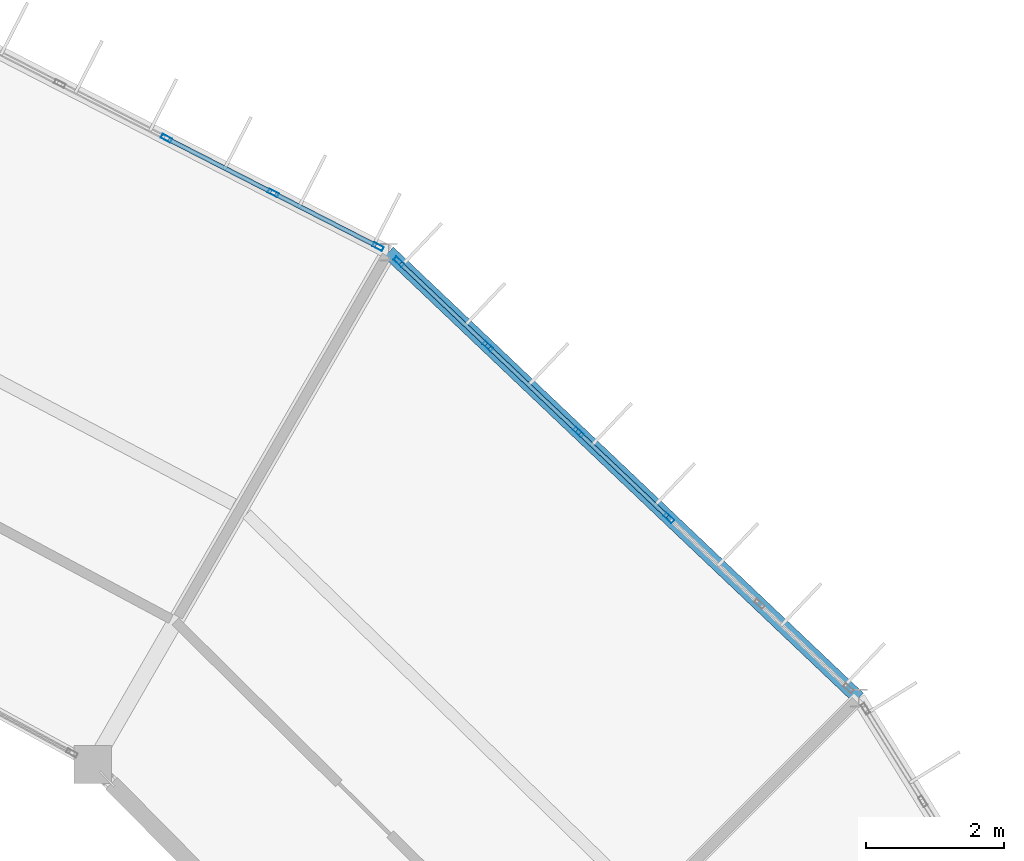
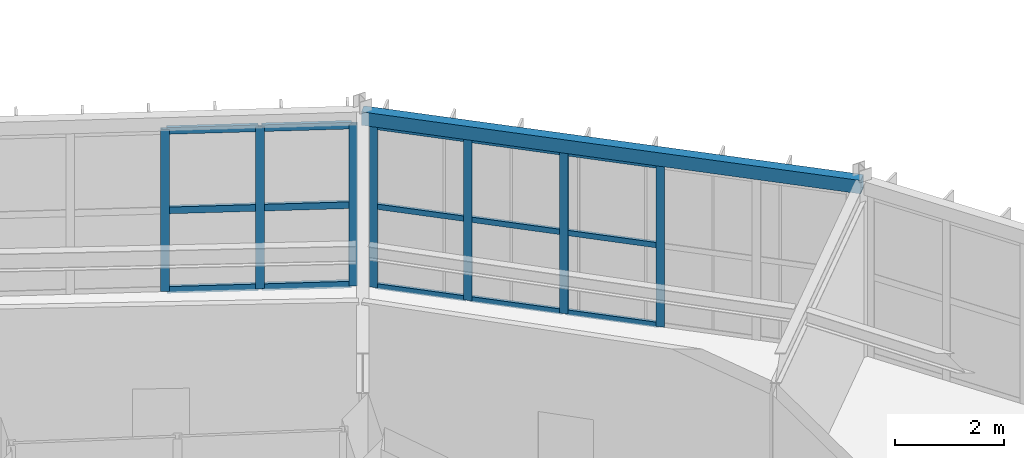
# One storey, part 73 of 106: 22 members, 1 beam, 2 elements without a shape of their own.
"""IFC4 building model written with IfcOpenShell, lengths in metres."""

from ifc_helpers import new_model, si_unit, direction, frame, origin, origin_2d, place, context, subcontext, project, spatial, hollow_rectangle, extrude, material, material_profile, profile_set, type_object, element, aggregate, save


model = new_model("IFC4")

# Units and contexts
model_context = context("Model", 3, precision=1e-05, world=origin(), true_north=direction((0.0, 1.0)))
body_context = subcontext(model_context, "Body", "Model", "MODEL_VIEW")
ifc_project = project(units=[si_unit("LENGTHUNIT", "METRE"), si_unit("AREAUNIT", "SQUARE_METRE"), si_unit("VOLUMEUNIT", "CUBIC_METRE"), si_unit("PLANEANGLEUNIT", "RADIAN"), si_unit("MASSUNIT", "GRAM", prefix="KILO")], contexts=[model_context])

# Site, building, storey
site_placement = place(None, origin())
site = spatial("IfcSite", under=ifc_project, at=site_placement, CompositionType="ELEMENT")
building_placement = place(site_placement, origin())
building = spatial("IfcBuilding", under=site, at=building_placement, Name="Karori Crest Natural Sciences Institute", CompositionType="ELEMENT")
storey_placement = place(building_placement, frame((0.0, 0.0, 25.89990234375)))
storey = spatial("IfcBuildingStorey", under=building, at=storey_placement, Name="L06", CompositionType="ELEMENT", Elevation=25.89990234375)

# Beam
ifc_material_1 = material(Name="Hollow structural steel AS/NZS 1163 Grade C350", Category="steel")
ifc_material_profile_1 = material_profile(ifc_material_1, hollow_rectangle(XDim=0.199951171875, YDim=0.300048828125, WallThickness=0.010009765625, at=origin_2d()), Name="RHS300x200x10")
ifc_profile_set_1 = profile_set([ifc_material_profile_1], Name="Hollow structural steel AS/NZS 1163 Grade C350")
beam_type = type_object("IfcBeamType", Name="BT-15", PredefinedType="SPANDREL", material=ifc_profile_set_1)
beam_placement = place(storey_placement, frame((89.734619140625, 78.75, 3.7900390625), z_axis=(-0.725481282589, 0.688241896874, 0.0), x_axis=(-0.688241896874, -0.725481282589, 0.0)))
element("IfcBeam", 1, at=beam_placement, inside=storey, type_object=beam_type, Name="Beam B-0629", PredefinedType="SPANDREL", context=body_context, shape_type="SweptSolid", body=[
    extrude(hollow_rectangle(XDim=0.199951171875, YDim=0.300048828125, WallThickness=0.010009765625, at=origin_2d()), origin(), (0.0, 0.0, 1.0), 9.4208984375),
])

# Curtain wall, members
ifc_material_2 = material(Name="Anodised architectural aluminium 6063-T6", Category="aluminium")
curtain_wall_type_1 = type_object("IfcCurtainWallType", Name="CWT-04", PredefinedType="NOTDEFINED", material=ifc_material_2)
curtain_wall_1_placement = place(storey_placement, origin())
curtain_wall_1 = element("IfcCurtainWall", 2, at=curtain_wall_1_placement, inside=storey, type_object=curtain_wall_type_1, Name="Curtain wall CW-0225", PredefinedType="NOTDEFINED")
ifc_material_profile_2 = material_profile(ifc_material_2, hollow_rectangle(XDim=0.06494140625, YDim=0.159912109375, WallThickness=0.00390625, at=origin_2d()), Name="CWM160x65x4")
ifc_profile_set_2 = profile_set([ifc_material_profile_2], Name="Anodised architectural aluminium 6063-T6")
member_type_1 = type_object("IfcMemberType", Name="CWM-01", PredefinedType="MULLION", material=ifc_profile_set_2)
member_1_placement = place(storey_placement, frame((83.049072265625, 85.09228515625, 0.0), z_axis=(0.0, 0.0, 1.0), x_axis=(0.688252251648, 0.725471459192, 0.0)))
member_1 = element("IfcMember", 3, at=member_1_placement, type_object=member_type_1, Name="CW-0225 mullion 1", PredefinedType="MULLION", context=body_context, shape_type="SweptSolid", body=[
    extrude(hollow_rectangle(XDim=0.06494140625, YDim=0.159912109375, WallThickness=0.00390625, at=origin_2d()), origin(), (0.0, 0.0, 1.0), 3.625),
])
member_2_placement = place(storey_placement, frame((84.342041015625, 83.86572265625, 0.0), z_axis=(0.0, 0.0, 1.0), x_axis=(0.688252251648, 0.725471459192, 0.0)))
member_2 = element("IfcMember", 4, at=member_2_placement, type_object=member_type_1, Name="CW-0225 mullion 2", PredefinedType="MULLION", context=body_context, shape_type="SweptSolid", body=[
    extrude(hollow_rectangle(XDim=0.06494140625, YDim=0.159912109375, WallThickness=0.00390625, at=origin_2d()), origin(), (0.0, 0.0, 1.0), 3.625),
])
member_3_placement = place(storey_placement, frame((85.658447265625, 82.61669921875, 0.0), z_axis=(0.0, 0.0, 1.0), x_axis=(0.688252251648, 0.725471459192, 0.0)))
member_3 = element("IfcMember", 5, at=member_3_placement, type_object=member_type_1, Name="CW-0225 mullion 3", PredefinedType="MULLION", context=body_context, shape_type="SweptSolid", body=[
    extrude(hollow_rectangle(XDim=0.06494140625, YDim=0.159912109375, WallThickness=0.00390625, at=origin_2d()), origin(), (0.0, 0.0, 1.0), 3.625),
])
member_4_placement = place(storey_placement, frame((86.97509765625, 81.367919921875, 0.0), z_axis=(0.0, 0.0, 1.0), x_axis=(0.688252251648, 0.725471459192, 0.0)))
member_4 = element("IfcMember", 6, at=member_4_placement, type_object=member_type_1, Name="CW-0225 mullion 4", PredefinedType="MULLION", context=body_context, shape_type="SweptSolid", body=[
    extrude(hollow_rectangle(XDim=0.06494140625, YDim=0.159912109375, WallThickness=0.00390625, at=origin_2d()), origin(), (0.0, 0.0, 1.0), 3.625),
])

curtain_wall_type_2 = type_object("IfcCurtainWallType", Name="CWT-05", PredefinedType="NOTDEFINED", material=ifc_material_2)
curtain_wall_2_placement = place(storey_placement, origin())
curtain_wall_2 = element("IfcCurtainWall", 7, at=curtain_wall_2_placement, inside=storey, type_object=curtain_wall_type_2, Name="Curtain wall CW-0226", PredefinedType="NOTDEFINED")
member_5_placement = place(storey_placement, frame((79.67138671875, 86.88720703125, 0.0), z_axis=(0.0, 0.0, 1.0), x_axis=(0.455828878252, 0.890067432138, 0.0)))
member_5 = element("IfcMember", 8, at=member_5_placement, type_object=member_type_1, Name="CW-0226 mullion 4", PredefinedType="MULLION", context=body_context, shape_type="SweptSolid", body=[
    extrude(hollow_rectangle(XDim=0.06494140625, YDim=0.159912109375, WallThickness=0.00390625, at=origin_2d()), origin(), (0.0, 0.0, 1.0), 3.625),
])
member_6_placement = place(storey_placement, frame((81.22314453125, 86.092529296875, 0.0), z_axis=(0.0, 0.0, 1.0), x_axis=(0.455828878252, 0.890067432138, 0.0)))
member_6 = element("IfcMember", 9, at=member_6_placement, type_object=member_type_1, Name="CW-0226 mullion 5", PredefinedType="MULLION", context=body_context, shape_type="SweptSolid", body=[
    extrude(hollow_rectangle(XDim=0.06494140625, YDim=0.159912109375, WallThickness=0.00390625, at=origin_2d()), origin(), (0.0, 0.0, 1.0), 3.625),
])
member_7_placement = place(storey_placement, frame((82.745849609375, 85.312744140625, 0.0), z_axis=(0.0, 0.0, 1.0), x_axis=(0.455828878252, 0.890067432138, 0.0)))
member_7 = element("IfcMember", 10, at=member_7_placement, type_object=member_type_1, Name="CW-0226 mullion 6", PredefinedType="MULLION", context=body_context, shape_type="SweptSolid", body=[
    extrude(hollow_rectangle(XDim=0.06494140625, YDim=0.159912109375, WallThickness=0.00390625, at=origin_2d()), origin(), (0.0, 0.0, 1.0), 3.625),
])

# Member
ifc_material_profile_3 = material_profile(ifc_material_2, hollow_rectangle(XDim=0.06005859375, YDim=0.1201171875, WallThickness=0.00390625, at=origin_2d()), Name="CWT120x60x4")
ifc_profile_set_3 = profile_set([ifc_material_profile_3], Name="Anodised architectural aluminium 6063-T6")
member_type_2 = type_object("IfcMemberType", Name="CWT-TR1", PredefinedType="USERDEFINED", material=ifc_profile_set_3)
member_8_placement = place(storey_placement, frame((83.07275390625, 85.070068359375, 0.030029296875), z_axis=(0.725485539939, -0.68823740914, 0.0), x_axis=(0.68823740914, 0.725485539939, 0.0)))
member_8 = element("IfcMember", 11, at=member_8_placement, type_object=member_type_2, Name="CW-0225 transom 1.1", ObjectType="TRANSOM", PredefinedType="USERDEFINED", context=body_context, shape_type="SweptSolid", body=[
    extrude(hollow_rectangle(XDim=0.06005859375, YDim=0.1201171875, WallThickness=0.00390625, at=origin_2d()), origin(), (0.0, 0.0, 1.0), 1.71728515625),
])

member_9_placement = place(storey_placement, frame((83.07275390625, 85.070068359375, 1.8125), z_axis=(0.725485539939, -0.68823740914, 0.0), x_axis=(0.68823740914, 0.725485539939, 0.0)))
member_9 = element("IfcMember", 12, at=member_9_placement, type_object=member_type_2, Name="CW-0225 transom 1.2", ObjectType="TRANSOM", PredefinedType="USERDEFINED", context=body_context, shape_type="SweptSolid", body=[
    extrude(hollow_rectangle(XDim=0.06005859375, YDim=0.1201171875, WallThickness=0.00390625, at=origin_2d()), origin(), (0.0, 0.0, 1.0), 1.71728515625),
])

member_10_placement = place(storey_placement, frame((83.07275390625, 85.070068359375, 3.59521484375), z_axis=(0.725485539939, -0.68823740914, 0.0), x_axis=(0.68823740914, 0.725485539939, 0.0)))
member_10 = element("IfcMember", 13, at=member_10_placement, type_object=member_type_2, Name="CW-0225 transom 1.3", ObjectType="TRANSOM", PredefinedType="USERDEFINED", context=body_context, shape_type="SweptSolid", body=[
    extrude(hollow_rectangle(XDim=0.06005859375, YDim=0.1201171875, WallThickness=0.00390625, at=origin_2d()), origin(), (0.0, 0.0, 1.0), 1.71728515625),
])

member_11_placement = place(storey_placement, frame((84.36572265625, 83.843505859375, 0.030029296875), z_axis=(0.725420823959, -0.688305621194, 0.0), x_axis=(0.688305621194, 0.725420823959, 0.0)))
member_11 = element("IfcMember", 14, at=member_11_placement, type_object=member_type_2, Name="CW-0225 transom 2.1", ObjectType="TRANSOM", PredefinedType="USERDEFINED", context=body_context, shape_type="SweptSolid", body=[
    extrude(hollow_rectangle(XDim=0.06005859375, YDim=0.1201171875, WallThickness=0.00390625, at=origin_2d()), origin(), (0.0, 0.0, 1.0), 1.749755859375),
])

member_12_placement = place(storey_placement, frame((84.36572265625, 83.843505859375, 1.8125), z_axis=(0.725420823959, -0.688305621194, 0.0), x_axis=(0.688305621194, 0.725420823959, 0.0)))
member_12 = element("IfcMember", 15, at=member_12_placement, type_object=member_type_2, Name="CW-0225 transom 2.2", ObjectType="TRANSOM", PredefinedType="USERDEFINED", context=body_context, shape_type="SweptSolid", body=[
    extrude(hollow_rectangle(XDim=0.06005859375, YDim=0.1201171875, WallThickness=0.00390625, at=origin_2d()), origin(), (0.0, 0.0, 1.0), 1.749755859375),
])

member_13_placement = place(storey_placement, frame((84.36572265625, 83.843505859375, 3.59521484375), z_axis=(0.725420823959, -0.688305621194, 0.0), x_axis=(0.688305621194, 0.725420823959, 0.0)))
member_13 = element("IfcMember", 16, at=member_13_placement, type_object=member_type_2, Name="CW-0225 transom 2.3", ObjectType="TRANSOM", PredefinedType="USERDEFINED", context=body_context, shape_type="SweptSolid", body=[
    extrude(hollow_rectangle(XDim=0.06005859375, YDim=0.1201171875, WallThickness=0.00390625, at=origin_2d()), origin(), (0.0, 0.0, 1.0), 1.749755859375),
])

member_14_placement = place(storey_placement, frame((85.68212890625, 82.594482421875, 0.030029296875), z_axis=(0.725420823959, -0.688305621194, 0.0), x_axis=(0.688305621194, 0.725420823959, 0.0)))
member_14 = element("IfcMember", 17, at=member_14_placement, type_object=member_type_2, Name="CW-0225 transom 3.1", ObjectType="TRANSOM", PredefinedType="USERDEFINED", context=body_context, shape_type="SweptSolid", body=[
    extrude(hollow_rectangle(XDim=0.06005859375, YDim=0.1201171875, WallThickness=0.00390625, at=origin_2d()), origin(), (0.0, 0.0, 1.0), 1.749755859375),
])

member_15_placement = place(storey_placement, frame((85.68212890625, 82.594482421875, 1.8125), z_axis=(0.725420823959, -0.688305621194, 0.0), x_axis=(0.688305621194, 0.725420823959, 0.0)))
member_15 = element("IfcMember", 18, at=member_15_placement, type_object=member_type_2, Name="CW-0225 transom 3.2", ObjectType="TRANSOM", PredefinedType="USERDEFINED", context=body_context, shape_type="SweptSolid", body=[
    extrude(hollow_rectangle(XDim=0.06005859375, YDim=0.1201171875, WallThickness=0.00390625, at=origin_2d()), origin(), (0.0, 0.0, 1.0), 1.749755859375),
])

member_16_placement = place(storey_placement, frame((85.68212890625, 82.594482421875, 3.59521484375), z_axis=(0.725420823959, -0.688305621194, 0.0), x_axis=(0.688305621194, 0.725420823959, 0.0)))
member_16 = element("IfcMember", 19, at=member_16_placement, type_object=member_type_2, Name="CW-0225 transom 3.3", ObjectType="TRANSOM", PredefinedType="USERDEFINED", context=body_context, shape_type="SweptSolid", body=[
    extrude(hollow_rectangle(XDim=0.06005859375, YDim=0.1201171875, WallThickness=0.00390625, at=origin_2d()), origin(), (0.0, 0.0, 1.0), 1.749755859375),
])

aggregate(curtain_wall_1, [member_1, member_2, member_3, member_4, member_8, member_9, member_10, member_11, member_12, member_13, member_14, member_15, member_16])

ifc_material_profile_4 = material_profile(ifc_material_2, hollow_rectangle(XDim=0.06494140625, YDim=0.14990234375, WallThickness=0.00390625, at=origin_2d()), Name="CWT150x65x4")
ifc_profile_set_4 = profile_set([ifc_material_profile_4], Name="Anodised architectural aluminium 6063-T6")
member_type_3 = type_object("IfcMemberType", Name="CWT-TR2", PredefinedType="USERDEFINED", material=ifc_profile_set_4)
member_17_placement = place(storey_placement, frame((79.7001953125, 86.87255859375, 0.03271484375), z_axis=(0.890050562189, -0.455861817601, 0.0), x_axis=(0.455861817601, 0.890050562189, 0.0)))
member_17 = element("IfcMember", 20, at=member_17_placement, type_object=member_type_3, Name="CW-0226 transom 4.1", ObjectType="TRANSOM", PredefinedType="USERDEFINED", context=body_context, shape_type="SweptSolid", body=[
    extrude(hollow_rectangle(XDim=0.06494140625, YDim=0.14990234375, WallThickness=0.00390625, at=origin_2d()), origin(), (0.0, 0.0, 1.0), 1.678466796875),
])

member_18_placement = place(storey_placement, frame((79.7001953125, 86.87255859375, 1.8125), z_axis=(0.890050562189, -0.455861817601, 0.0), x_axis=(0.455861817601, 0.890050562189, 0.0)))
member_18 = element("IfcMember", 21, at=member_18_placement, type_object=member_type_3, Name="CW-0226 transom 4.2", ObjectType="TRANSOM", PredefinedType="USERDEFINED", context=body_context, shape_type="SweptSolid", body=[
    extrude(hollow_rectangle(XDim=0.06494140625, YDim=0.14990234375, WallThickness=0.00390625, at=origin_2d()), origin(), (0.0, 0.0, 1.0), 1.678466796875),
])

member_19_placement = place(storey_placement, frame((79.7001953125, 86.87255859375, 3.592529296875), z_axis=(0.890050562189, -0.455861817601, 0.0), x_axis=(0.455861817601, 0.890050562189, 0.0)))
member_19 = element("IfcMember", 22, at=member_19_placement, type_object=member_type_3, Name="CW-0226 transom 4.3", ObjectType="TRANSOM", PredefinedType="USERDEFINED", context=body_context, shape_type="SweptSolid", body=[
    extrude(hollow_rectangle(XDim=0.06494140625, YDim=0.14990234375, WallThickness=0.00390625, at=origin_2d()), origin(), (0.0, 0.0, 1.0), 1.678466796875),
])

member_20_placement = place(storey_placement, frame((81.251953125, 86.077880859375, 0.03271484375), z_axis=(0.890084461025, -0.455795625518, 0.0), x_axis=(0.455795625518, 0.890084461025, 0.0)))
member_20 = element("IfcMember", 23, at=member_20_placement, type_object=member_type_3, Name="CW-0226 transom 5.1", ObjectType="TRANSOM", PredefinedType="USERDEFINED", context=body_context, shape_type="SweptSolid", body=[
    extrude(hollow_rectangle(XDim=0.06494140625, YDim=0.14990234375, WallThickness=0.00390625, at=origin_2d()), origin(), (0.0, 0.0, 1.0), 1.64599609375),
])

member_21_placement = place(storey_placement, frame((81.251953125, 86.077880859375, 1.8125), z_axis=(0.890084461025, -0.455795625518, 0.0), x_axis=(0.455795625518, 0.890084461025, 0.0)))
member_21 = element("IfcMember", 24, at=member_21_placement, type_object=member_type_3, Name="CW-0226 transom 5.2", ObjectType="TRANSOM", PredefinedType="USERDEFINED", context=body_context, shape_type="SweptSolid", body=[
    extrude(hollow_rectangle(XDim=0.06494140625, YDim=0.14990234375, WallThickness=0.00390625, at=origin_2d()), origin(), (0.0, 0.0, 1.0), 1.64599609375),
])

member_22_placement = place(storey_placement, frame((81.251953125, 86.077880859375, 3.592529296875), z_axis=(0.890084461025, -0.455795625518, 0.0), x_axis=(0.455795625518, 0.890084461025, 0.0)))
member_22 = element("IfcMember", 25, at=member_22_placement, type_object=member_type_3, Name="CW-0226 transom 5.3", ObjectType="TRANSOM", PredefinedType="USERDEFINED", context=body_context, shape_type="SweptSolid", body=[
    extrude(hollow_rectangle(XDim=0.06494140625, YDim=0.14990234375, WallThickness=0.00390625, at=origin_2d()), origin(), (0.0, 0.0, 1.0), 1.64599609375),
])

aggregate(curtain_wall_2, [member_5, member_6, member_7, member_17, member_18, member_19, member_20, member_21, member_22])

save(model, "model.ifc")
